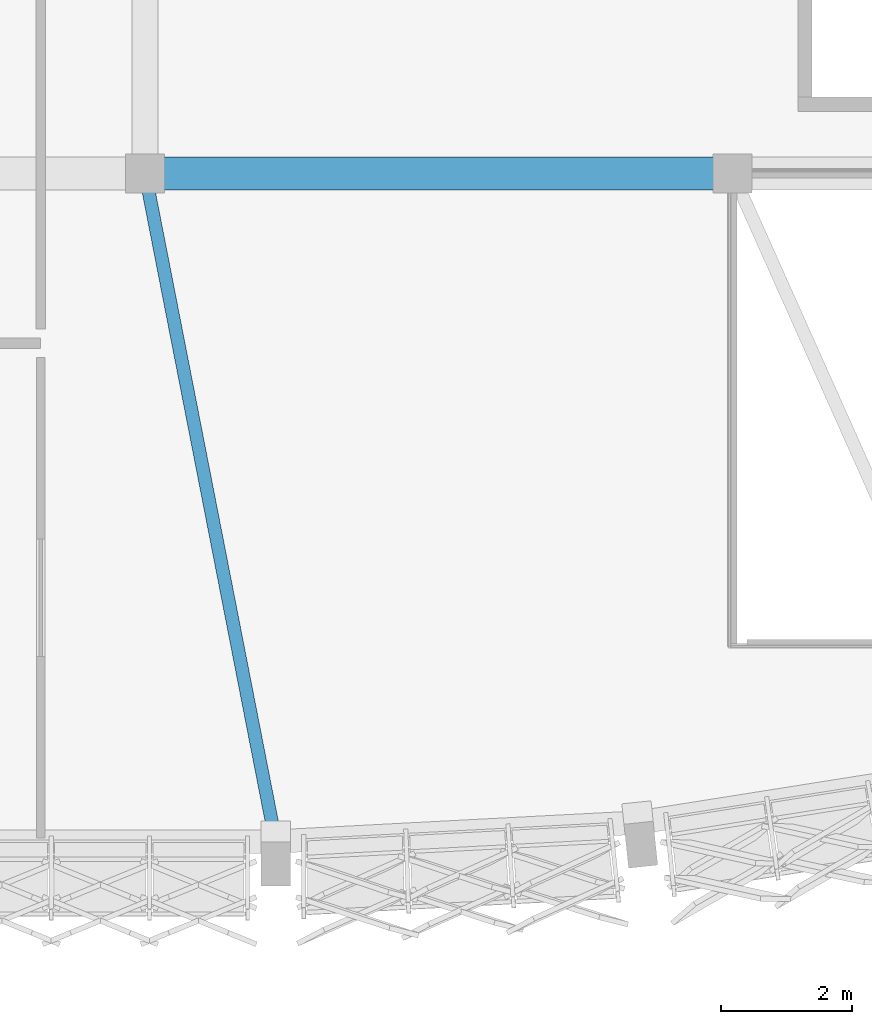
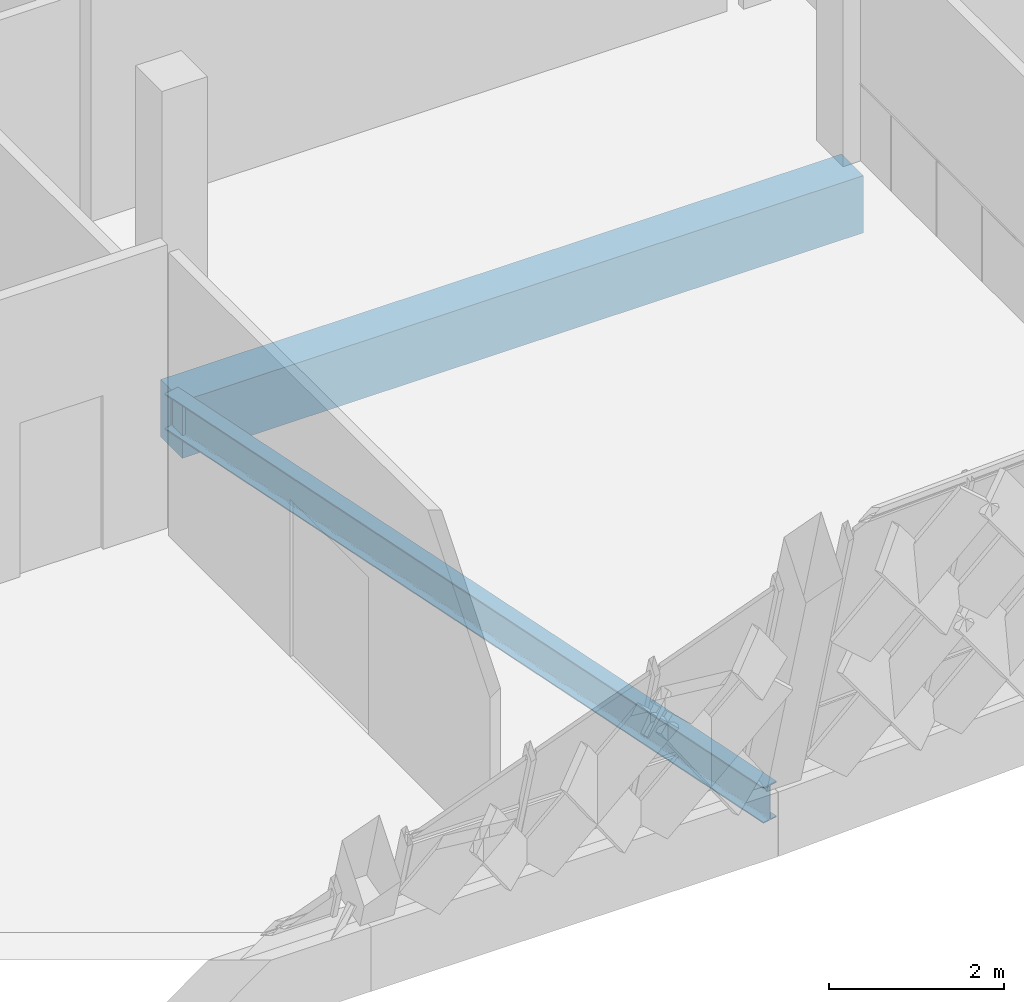
# One storey, part 18 of 107: 2 beams.
"""IFC4 building model written with IfcOpenShell, lengths in metres."""

from ifc_helpers import new_model, si_unit, direction, frame, origin, origin_2d, place, context, subcontext, project, spatial, rectangle, i_section, extrude, material, material_profile, profile_set, type_object, element, save


model = new_model("IFC4")

# Units and contexts
model_context = context("Model", 3, precision=1e-05, world=origin(), true_north=direction((0.0, 1.0)))
body_context = subcontext(model_context, "Body", "Model", "MODEL_VIEW")
ifc_project = project(units=[si_unit("LENGTHUNIT", "METRE"), si_unit("AREAUNIT", "SQUARE_METRE"), si_unit("VOLUMEUNIT", "CUBIC_METRE"), si_unit("PLANEANGLEUNIT", "RADIAN"), si_unit("MASSUNIT", "GRAM", prefix="KILO")], contexts=[model_context])

# Site, building, storey
site_placement = place(None, origin())
site = spatial("IfcSite", under=ifc_project, at=site_placement, CompositionType="ELEMENT")
building_placement = place(site_placement, origin())
building = spatial("IfcBuilding", under=site, at=building_placement, Name="Chiffa Square Polytechnic", CompositionType="ELEMENT")
storey_placement = place(building_placement, frame((0.0, 0.0, 13.800048828125)))
storey = spatial("IfcBuildingStorey", under=building, at=storey_placement, Name="L03", CompositionType="ELEMENT", Elevation=13.800048828125)

# Beams
ifc_material_1 = material(Name="Concrete C40/50", Category="concrete")
ifc_material_profile_1 = material_profile(ifc_material_1, rectangle(XDim=0.5, YDim=0.800048828125, at=origin_2d()), Name="RC 500x800")
ifc_profile_set_1 = profile_set([ifc_material_profile_1], Name="Concrete C40/50")
beam_type_1 = type_object("IfcBeamType", Name="BM-RC-500X800", PredefinedType="BEAM", material=ifc_profile_set_1)
beam_1_placement = place(storey_placement, frame((121.199951171875, 14.39990234375, -0.66015625), z_axis=(1.0, 0.0, 0.0), x_axis=(0.0, 1.0, 0.0)))
element("IfcBeam", 1, at=beam_1_placement, inside=storey, type_object=beam_type_1, Name="Primary floor girder BM-V1-L03-X-1212-0144", PredefinedType="BEAM", context=body_context, shape_type="SweptSolid", body=[
    extrude(rectangle(XDim=0.5, YDim=0.800048828125, at=origin_2d()), origin(), (0.0, 0.0, 1.0), 9.0),
])
ifc_material_2 = material(Name="Steel S355", Category="steel")
ifc_material_profile_2 = material_profile(ifc_material_2, i_section(OverallWidth=0.199951171875, OverallDepth=0.5, WebThickness=0.01025390625, FlangeThickness=0.01611328125, FilletRadius=0.02099609375, at=origin_2d()), Name="IPE 500")
ifc_profile_set_2 = profile_set([ifc_material_profile_2], Name="Steel S355")
beam_type_2 = type_object("IfcBeamType", Name="BM-STL-IPE500", PredefinedType="BEAM", material=ifc_profile_set_2)
beam_2_placement = place(storey_placement, frame((123.199951171875, 4.162109375, -0.510009765625), z_axis=(-0.191730317423, 0.981447647804, 0.0), x_axis=(-0.981447647804, -0.191730317423, 0.0)))
element("IfcBeam", 2, at=beam_2_placement, inside=storey, type_object=beam_type_2, Name="Prow radial tie girder BM-V1-RAD-L03-03", PredefinedType="BEAM", context=body_context, shape_type="SweptSolid", body=[
    extrude(i_section(OverallWidth=0.199951171875, OverallDepth=0.5, WebThickness=0.01025390625, FlangeThickness=0.01611328125, FilletRadius=0.02099609375, at=origin_2d()), origin(), (0.0, 0.0, 1.0), 10.431396484375),
])

save(model, "model.ifc")
